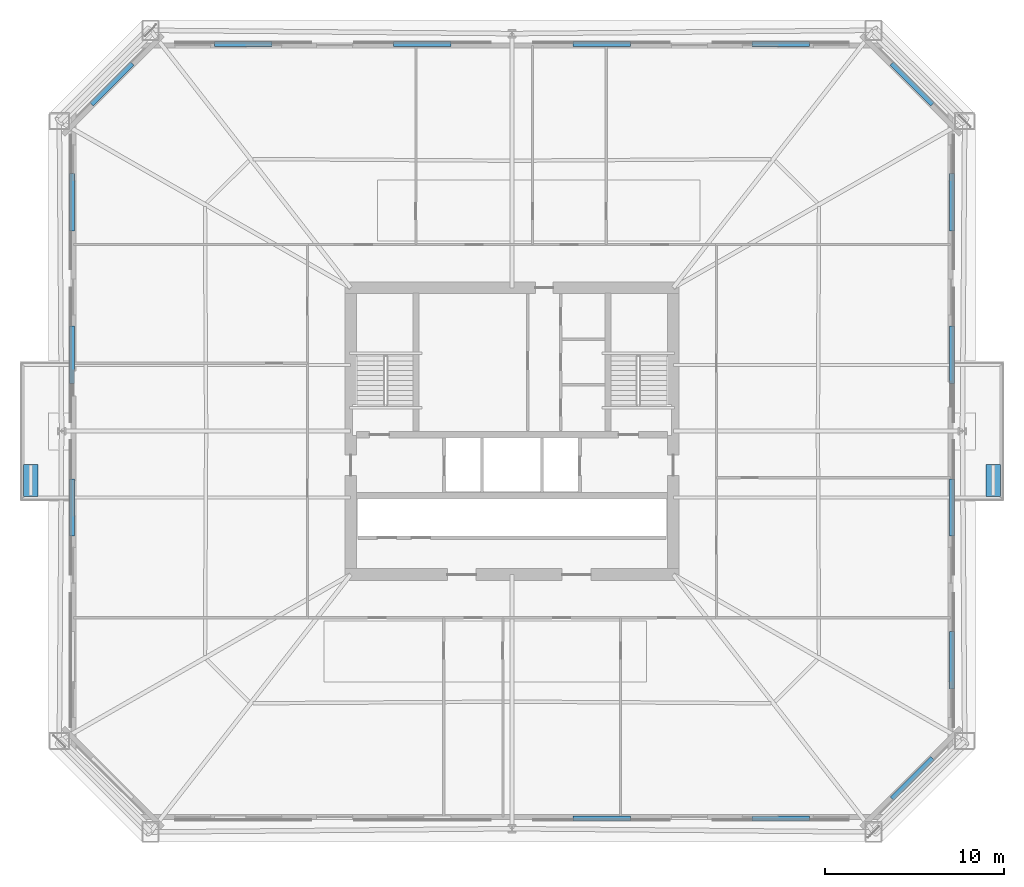
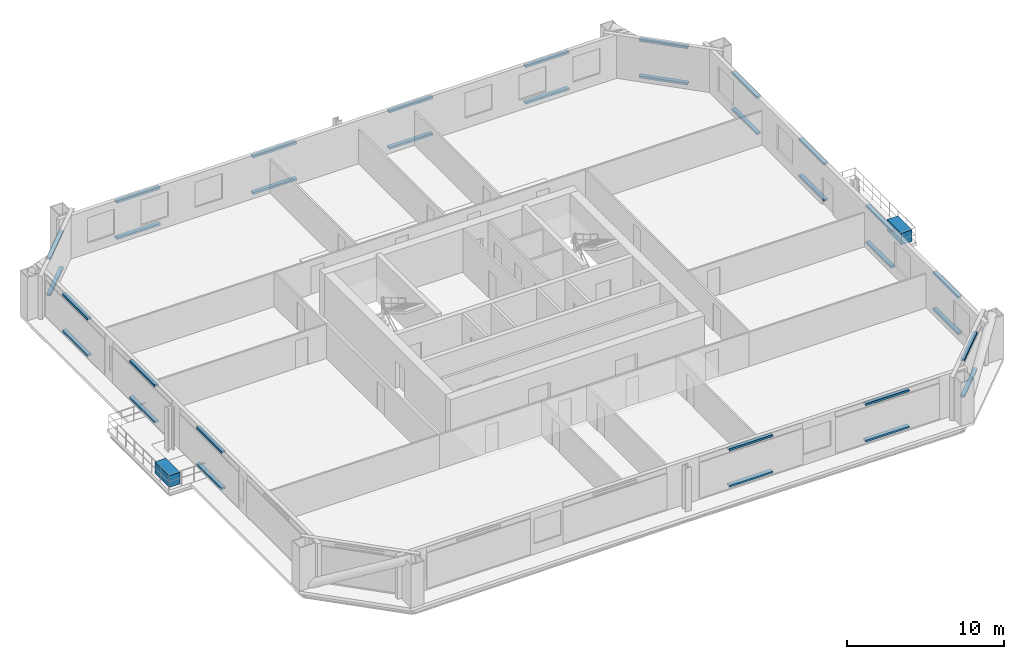
# One storey, part 8 of 11: 34 discrete accessories.
"""IFC4 building model written with IfcOpenShell, lengths in metres."""

from ifc_helpers import new_model, si_unit, direction, frame, origin, origin_2d, place, context, subcontext, project, spatial, rectangle, extrude, material, type_object, element, save


model = new_model("IFC4")

# Units and contexts
model_context = context("Model", 3, precision=1e-05, world=origin(), true_north=direction((0.0, 1.0)))
body_context = subcontext(model_context, "Body", "Model", "MODEL_VIEW")
ifc_project = project(units=[si_unit("LENGTHUNIT", "METRE"), si_unit("AREAUNIT", "SQUARE_METRE"), si_unit("VOLUMEUNIT", "CUBIC_METRE"), si_unit("PLANEANGLEUNIT", "RADIAN"), si_unit("MASSUNIT", "GRAM", prefix="KILO")], contexts=[model_context])

# Site, building, storey
site_placement = place(None, origin())
site = spatial("IfcSite", under=ifc_project, at=site_placement, CompositionType="ELEMENT")
building_placement = place(site_placement, origin())
building = spatial("IfcBuilding", under=site, at=building_placement, Name="Caelvoria Tower", CompositionType="ELEMENT")
storey_placement = place(building_placement, frame((0.0, 0.0, 64.0)))
storey = spatial("IfcBuildingStorey", under=building, at=storey_placement, Name="L16", CompositionType="ELEMENT", Elevation=64.0)

# Discrete accessories
ifc_material_1 = material(Name="Anodised Bronze Stainless Bracket", Category="bronze")
discrete_accessory_type_1 = type_object("IfcDiscreteAccessoryType", Name="Solar Screen Outrigger Support Bracket", PredefinedType="BRACKET", material=ifc_material_1)
for number, where, z_axis, x_axis, name in (
    (1, (50.99755859375, 10.403076171875, 0.240234375), (0.0, 0.0, 1.0), (1.0, 0.0, 0.0), "Solar Screen Bracket L16-E0-02"),
    (2, (50.99755859375, 10.403076171875, 3.06005859375), (0.0, 0.0, 1.0), (1.0, 0.0, 0.0), "Upper Screen Band Bracket L16-E0-02"),
    (3, (60.992431640625, 10.403076171875, 0.240234375), (0.0, 0.0, 1.0), (1.0, 0.0, 0.0), "Solar Screen Bracket L16-E0-03"),
    (4, (60.992431640625, 10.403076171875, 3.06005859375), (0.0, 0.0, 1.0), (1.0, 0.0, 0.0), "Upper Screen Band Bracket L16-E0-03"),
    (5, (68.32861328125, 12.621337890625, 0.240234375), (0.0, 0.0, 1.0), (0.707106781187, 0.707106781187, 0.0), "Solar Screen Bracket L16-E1-00"),
    (6, (68.32861328125, 12.621337890625, 3.06005859375), (0.0, 0.0, 1.0), (0.707106781187, 0.707106781187, 0.0), "Upper Screen Band Bracket L16-E1-00"),
    (7, (70.547119140625, 19.219970703125, 0.240234375), (0.0, 0.0, 1.0), (0.0, 1.0, 0.0), "Solar Screen Bracket L16-E2-00"),
    (8, (70.547119140625, 19.219970703125, 3.06005859375), (0.0, 0.0, 1.0), (0.0, 1.0, 0.0), "Upper Screen Band Bracket L16-E2-00"),
    (9, (70.547119140625, 27.739990234375, 0.240234375), (0.0, 0.0, 1.0), (0.0, 1.0, 0.0), "Solar Screen Bracket L16-E2-01"),
    (10, (70.547119140625, 27.739990234375, 3.06005859375), (0.0, 0.0, 1.0), (0.0, 1.0, 0.0), "Upper Screen Band Bracket L16-E2-01"),
    (11, (70.547119140625, 36.260009765625, 0.240234375), (0.0, 0.0, 1.0), (0.0, 1.0, 0.0), "Solar Screen Bracket L16-E2-02"),
    (12, (70.547119140625, 36.260009765625, 3.06005859375), (0.0, 0.0, 1.0), (0.0, 1.0, 0.0), "Upper Screen Band Bracket L16-E2-02"),
    (13, (70.547119140625, 44.780029296875, 0.240234375), (0.0, 0.0, 1.0), (0.0, 1.0, 0.0), "Solar Screen Bracket L16-E2-03"),
    (14, (70.547119140625, 44.780029296875, 3.06005859375), (0.0, 0.0, 1.0), (0.0, 1.0, 0.0), "Upper Screen Band Bracket L16-E2-03"),
    (15, (68.32861328125, 51.378662109375, 0.240234375), (0.0, 0.0, 1.0), (-0.707106781187, 0.707106781187, 0.0), "Solar Screen Bracket L16-E3-00"),
    (16, (68.32861328125, 51.378662109375, 3.06005859375), (0.0, 0.0, 1.0), (-0.707106781187, 0.707106781187, 0.0), "Upper Screen Band Bracket L16-E3-00"),
    (17, (60.992431640625, 53.596923828125, 0.240234375), (0.0, 0.0, 1.0), (-1.0, 0.0, 0.0), "Solar Screen Bracket L16-E4-00"),
    (18, (60.992431640625, 53.596923828125, 3.06005859375), (0.0, 0.0, 1.0), (-1.0, 0.0, 0.0), "Upper Screen Band Bracket L16-E4-00"),
    (19, (50.99755859375, 53.596923828125, 0.240234375), (0.0, 0.0, 1.0), (-1.0, 0.0, 0.0), "Solar Screen Bracket L16-E4-01"),
    (20, (50.99755859375, 53.596923828125, 3.06005859375), (0.0, 0.0, 1.0), (-1.0, 0.0, 0.0), "Upper Screen Band Bracket L16-E4-01"),
    (21, (41.00244140625, 53.596923828125, 0.240234375), (0.0, 0.0, 1.0), (-1.0, 0.0, 0.0), "Solar Screen Bracket L16-E4-02"),
    (22, (41.00244140625, 53.596923828125, 3.06005859375), (0.0, 0.0, 1.0), (-1.0, 0.0, 0.0), "Upper Screen Band Bracket L16-E4-02"),
    (23, (31.007568359375, 53.596923828125, 0.240234375), (0.0, 0.0, 1.0), (-1.0, 0.0, 0.0), "Solar Screen Bracket L16-E4-03"),
    (24, (31.007568359375, 53.596923828125, 3.06005859375), (0.0, 0.0, 1.0), (-1.0, 0.0, 0.0), "Upper Screen Band Bracket L16-E4-03"),
    (25, (23.67138671875, 51.378662109375, 0.240234375), (0.0, 0.0, 1.0), (-0.707106781187, -0.707106781187, 0.0), "Solar Screen Bracket L16-E5-00"),
    (26, (23.67138671875, 51.378662109375, 3.06005859375), (0.0, 0.0, 1.0), (-0.707106781187, -0.707106781187, 0.0), "Upper Screen Band Bracket L16-E5-00"),
    (27, (21.452880859375, 44.780029296875, 0.240234375), (0.0, 0.0, 1.0), (0.0, -1.0, 0.0), "Solar Screen Bracket L16-E6-00"),
    (28, (21.452880859375, 44.780029296875, 3.06005859375), (0.0, 0.0, 1.0), (0.0, -1.0, 0.0), "Upper Screen Band Bracket L16-E6-00"),
    (29, (21.452880859375, 36.260009765625, 0.240234375), (0.0, 0.0, 1.0), (0.0, -1.0, 0.0), "Solar Screen Bracket L16-E6-01"),
    (30, (21.452880859375, 36.260009765625, 3.06005859375), (0.0, 0.0, 1.0), (0.0, -1.0, 0.0), "Upper Screen Band Bracket L16-E6-01"),
    (31, (21.452880859375, 27.739990234375, 0.240234375), (0.0, 0.0, 1.0), (0.0, -1.0, 0.0), "Solar Screen Bracket L16-E6-02"),
    (32, (21.452880859375, 27.739990234375, 3.06005859375), (0.0, 0.0, 1.0), (0.0, -1.0, 0.0), "Upper Screen Band Bracket L16-E6-02"),
):
    element("IfcDiscreteAccessory", number, at=place(storey_placement, frame(where, z_axis=z_axis, x_axis=x_axis)), inside=storey, type_object=discrete_accessory_type_1, Name=name, PredefinedType="BRACKET", context=body_context, shape_type="SweptSolid", body=[
        extrude(rectangle(XDim=3.199951171875, YDim=0.280029296875, at=origin_2d()), origin(), (0.0, 0.0, 1.0), 0.159912109375),
    ])
ifc_material_2 = material(Name="Bronze-Clad Concrete C40/50 Planter Vessel", Category="concrete")
discrete_accessory_type_2 = type_object("IfcDiscreteAccessoryType", Name="Tree Balcony Structural Planter Vessel PLANTER", PredefinedType="USERDEFINED", material=ifc_material_2)
for number, where, z_axis, x_axis, name in (
    (33, (19.14990234375, 29.25, 0.0), (0.0, 0.0, 1.0), (0.0, 1.0, 0.0), "Tree Balcony Planter TB-L16-W"),
    (34, (72.85009765625, 29.25, 0.0), (0.0, 0.0, 1.0), (0.0, 1.0, 0.0), "Tree Balcony Planter TB-L16-E"),
):
    element("IfcDiscreteAccessory", number, at=place(storey_placement, frame(where, z_axis=z_axis, x_axis=x_axis)), inside=storey, type_object=discrete_accessory_type_2, Name=name, ObjectType="PLANTER", PredefinedType="USERDEFINED", context=body_context, shape_type="SweptSolid", body=[
        extrude(rectangle(XDim=1.800048828125, YDim=0.800048828125, at=origin_2d()), origin(), (0.0, 0.0, 1.0), 0.89990234375),
    ])

save(model, "model.ifc")
